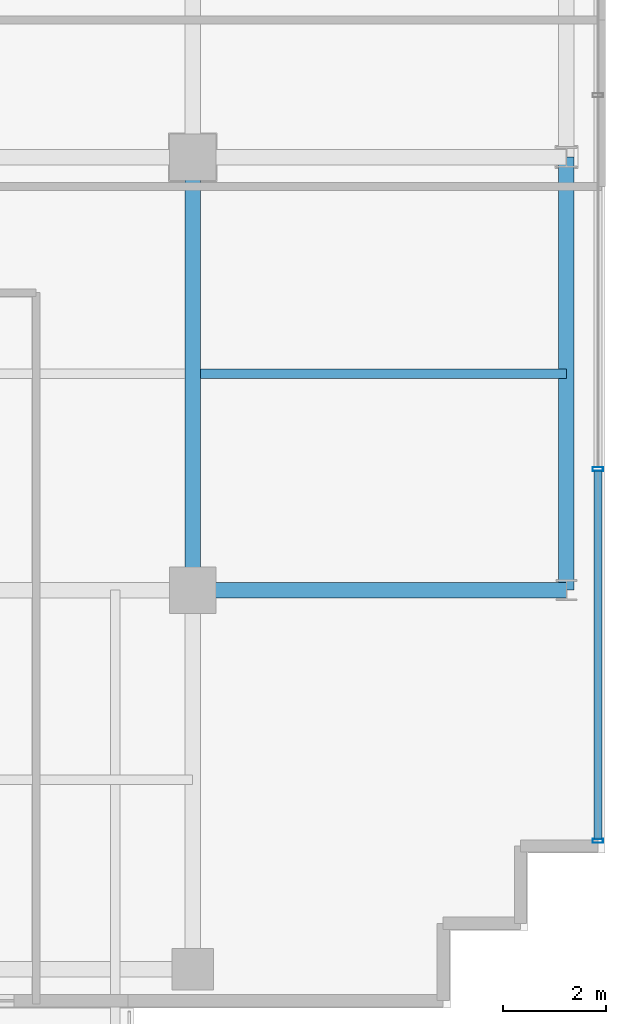
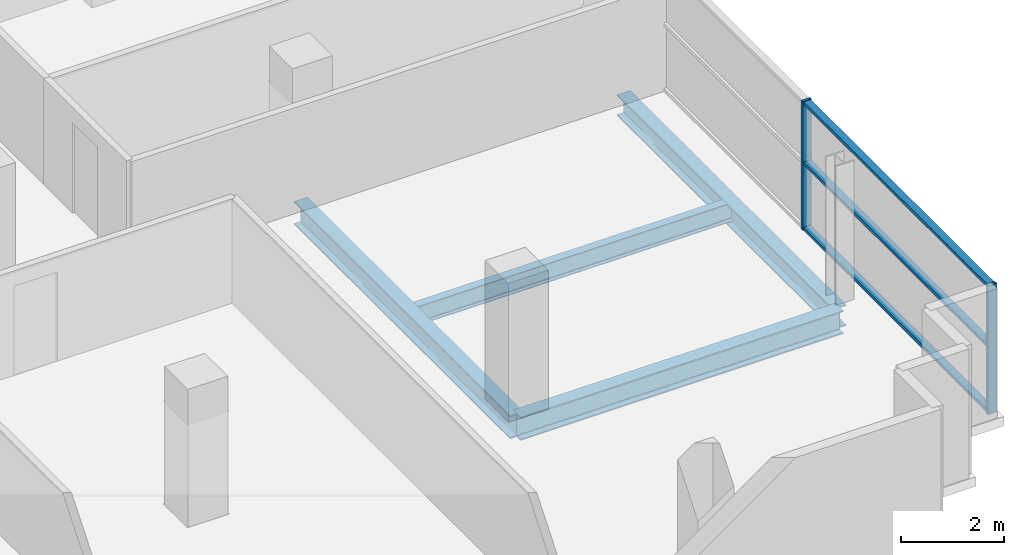
# One storey, part 7 of 23: 5 members, 4 beams, 1 element without a shape of its own.
"""IFC4 building model written with IfcOpenShell, lengths in metres."""

from ifc_helpers import new_model, si_unit, direction, frame, origin, origin_2d, place, context, subcontext, project, spatial, hollow_rectangle, i_section, extrude, source, transform, mapped, material, layer, layer_set, material_profile, profile_set, type_object, element, aggregate, save


model = new_model("IFC4")

# Units and contexts
model_context = context("Model", 3, precision=1e-05, world=origin(), true_north=direction((0.0, 1.0)))
body_context = subcontext(model_context, "Body", "Model", "MODEL_VIEW")
ifc_project = project(units=[si_unit("LENGTHUNIT", "METRE"), si_unit("AREAUNIT", "SQUARE_METRE"), si_unit("VOLUMEUNIT", "CUBIC_METRE"), si_unit("PLANEANGLEUNIT", "RADIAN"), si_unit("MASSUNIT", "GRAM", prefix="KILO")], contexts=[model_context])

# Site, building, storey
site_placement = place(None, origin())
site = spatial("IfcSite", under=ifc_project, at=site_placement, CompositionType="ELEMENT")
building_placement = place(site_placement, origin())
building = spatial("IfcBuilding", under=site, at=building_placement, Name="Zarnakvel Exchange Tower", CompositionType="ELEMENT")
storey_placement = place(building_placement, frame((0.0, 0.0, 123.10009765625)))
storey = spatial("IfcBuildingStorey", under=building, at=storey_placement, Name="L34", CompositionType="ELEMENT", Elevation=123.10009765625)

# Beams
ifc_material_1 = material(Name="Steel S355", Category="steel")
ifc_material_profile_1 = material_profile(ifc_material_1, i_section(OverallWidth=0.18994140625, OverallDepth=0.449951171875, WebThickness=0.009521484375, FlangeThickness=0.0146484375, FilletRadius=0.02099609375, at=origin_2d()))
ifc_profile_set_1 = profile_set([ifc_material_profile_1], Name="Steel S355")
beam_type_1 = type_object("IfcBeamType", Name="B-05", PredefinedType="JOIST", material=ifc_profile_set_1)
beam_1_placement = place(storey_placement, frame((21.75, -5.39990234375, -0.4501953125), z_axis=(1.0, 0.0, 0.0), x_axis=(0.0, 1.0, 0.0)))
element("IfcBeam", 1, at=beam_1_placement, inside=storey, type_object=beam_type_1, Name="L34 Composite Floor Secondary Joist", PredefinedType="JOIST", context=body_context, shape_type="SweptSolid", body=[
    extrude(i_section(OverallWidth=0.18994140625, OverallDepth=0.449951171875, WebThickness=0.009521484375, FlangeThickness=0.0146484375, FilletRadius=0.02099609375, at=origin_2d()), origin(), (0.0, 0.0, 1.0), 7.10009765625),
])
ifc_material_profile_2 = material_profile(ifc_material_1, i_section(OverallWidth=0.300048828125, OverallDepth=0.550048828125, WebThickness=0.014892578125, FlangeThickness=0.029052734375, FilletRadius=0.027099609375, at=origin_2d()))
ifc_profile_set_2 = profile_set([ifc_material_profile_2], Name="Steel S355")
beam_type_2 = type_object("IfcBeamType", Name="G-05", PredefinedType="BEAM", material=ifc_profile_set_2)
beam_2_placement = place(storey_placement, frame((21.60009765625, -9.60009765625, -0.5), z_axis=(1.0, 0.0, 0.0), x_axis=(0.0, 1.0, 0.0)))
element("IfcBeam", 2, at=beam_2_placement, inside=storey, type_object=beam_type_2, Name="L34 Tower E-W Frame Beam", PredefinedType="BEAM", context=body_context, shape_type="SweptSolid", body=[
    extrude(i_section(OverallWidth=0.300048828125, OverallDepth=0.550048828125, WebThickness=0.014892578125, FlangeThickness=0.029052734375, FilletRadius=0.027099609375, at=origin_2d()), origin(), (0.0, 0.0, 1.0), 7.25),
])
beam_3_placement = place(storey_placement, frame((21.60009765625, -9.60009765625, -0.5), z_axis=(0.0, 1.0, 0.0), x_axis=(-1.0, 0.0, 0.0)))
element("IfcBeam", 3, at=beam_3_placement, inside=storey, type_object=beam_type_2, Name="L34 Tower N-S Frame Beam", PredefinedType="BEAM", context=body_context, shape_type="SweptSolid", body=[
    extrude(i_section(OverallWidth=0.300048828125, OverallDepth=0.550048828125, WebThickness=0.014892578125, FlangeThickness=0.029052734375, FilletRadius=0.027099609375, at=origin_2d()), origin(), (0.0, 0.0, 1.0), 8.400146484375),
])
ifc_material_profile_3 = material_profile(ifc_material_1, i_section(OverallWidth=0.300048828125, OverallDepth=0.5, WebThickness=0.014404296875, FlangeThickness=0.028076171875, FilletRadius=0.027099609375, at=origin_2d()))
ifc_profile_set_3 = profile_set([ifc_material_profile_3], Name="Steel S355")
beam_type_3 = type_object("IfcBeamType", Name="SP-02", PredefinedType="SPANDREL", material=ifc_profile_set_3)
beam_4_placement = place(storey_placement, frame((28.85009765625, -9.60009765625, -0.47509765625), z_axis=(0.0, 1.0, 0.0), x_axis=(-1.0, 0.0, 0.0)))
element("IfcBeam", 4, at=beam_4_placement, inside=storey, type_object=beam_type_3, Name="L34 Tower N-S Frame Beam", PredefinedType="SPANDREL", context=body_context, shape_type="SweptSolid", body=[
    extrude(i_section(OverallWidth=0.300048828125, OverallDepth=0.5, WebThickness=0.014404296875, FlangeThickness=0.028076171875, FilletRadius=0.027099609375, at=origin_2d()), origin(), (0.0, 0.0, 1.0), 8.400146484375),
])

# Curtain wall, members
ifc_material_2 = material(Name="Architectural Bronze Anodised Aluminium", Category="aluminium")
ifc_layer = layer(ifc_material_2, 0.199951171875)
ifc_layer_set = layer_set([ifc_layer], Name="Architectural Bronze Anodised Aluminium")
curtain_wall_type = type_object("IfcCurtainWallType", Name="CW-04", PredefinedType="NOTDEFINED", material=ifc_layer_set)
curtain_wall_placement = place(storey_placement, origin())
curtain_wall = element("IfcCurtainWall", 5, at=curtain_wall_placement, inside=storey, type_object=curtain_wall_type, Name="L34 Curtain Wall CW-L34-E1 (CW-04)", PredefinedType="NOTDEFINED")
ifc_material_profile_4 = material_profile(ifc_material_2, hollow_rectangle(XDim=0.199951171875, YDim=0.074951171875, WallThickness=0.0048828125, at=origin_2d()))
ifc_profile_set_4 = profile_set([ifc_material_profile_4], Name="Architectural Bronze Anodised Aluminium")
member_type_1 = type_object("IfcMemberType", Name="CWM-04", PredefinedType="MULLION", material=ifc_profile_set_4)
shared_shape_1 = source(origin(), body_context, "Body", "SweptSolid", [
    extrude(hollow_rectangle(XDim=0.199951171875, YDim=0.074951171875, WallThickness=0.0048828125, at=origin_2d()), origin(), (0.0, 0.0, 1.0), 3.054931640625),
])
member_1_placement = place(storey_placement, frame((29.4599609375, -14.46240234375, 0.0), z_axis=(0.0, 0.0, 1.0), x_axis=(-1.0, 0.0, 0.0)))
member_1 = element("IfcMember", 6, at=member_1_placement, type_object=member_type_1, Name="CW-04 mullion 1", PredefinedType="MULLION", context=body_context, shape_type="MappedRepresentation", body=[
    mapped(shared_shape_1, transform((0.0, 0.0, 0.0), x_axis=(1.0, 0.0, 0.0), y_axis=(0.0, 1.0, 0.0), z_axis=(0.0, 0.0, 1.0), scale=1.0)),
])
member_2_placement = place(storey_placement, frame((29.4599609375, -7.25, 0.0), z_axis=(0.0, 0.0, 1.0), x_axis=(-1.0, 0.0, 0.0)))
member_2 = element("IfcMember", 7, at=member_2_placement, type_object=member_type_1, Name="CW-04 mullion 2", PredefinedType="MULLION", context=body_context, shape_type="MappedRepresentation", body=[
    mapped(shared_shape_1, transform((0.0, 0.0, 0.0), x_axis=(1.0, 0.0, 0.0), y_axis=(0.0, 1.0, 0.0), z_axis=(0.0, 0.0, 1.0), scale=1.0)),
])
ifc_material_profile_5 = material_profile(ifc_material_2, hollow_rectangle(XDim=0.159912109375, YDim=0.074951171875, WallThickness=0.00390625, at=origin_2d()))
ifc_profile_set_5 = profile_set([ifc_material_profile_5], Name="Architectural Bronze Anodised Aluminium")
member_type_2 = type_object("IfcMemberType", Name="CWT-04", PredefinedType="USERDEFINED", material=ifc_profile_set_5)
shared_shape_2 = source(origin(), body_context, "Body", "SweptSolid", [
    extrude(hollow_rectangle(XDim=0.159912109375, YDim=0.074951171875, WallThickness=0.00390625, at=origin_2d()), origin(), (0.0, 0.0, 1.0), 7.137451171875),
])
member_3_placement = place(storey_placement, frame((29.4599609375, -14.425048828125, 0.037353515625), z_axis=(0.0, 1.0, 0.0), x_axis=(-1.0, 0.0, 0.0)))
member_3 = element("IfcMember", 8, at=member_3_placement, type_object=member_type_2, Name="CW-04 transom 1.1", ObjectType="TRANSOM", PredefinedType="USERDEFINED", context=body_context, shape_type="MappedRepresentation", body=[
    mapped(shared_shape_2, transform((0.0, 0.0, 0.0), x_axis=(1.0, 0.0, 0.0), y_axis=(0.0, 1.0, 0.0), z_axis=(0.0, 0.0, 1.0), scale=1.0)),
])
member_4_placement = place(storey_placement, frame((29.4599609375, -14.425048828125, 1.588623046875), z_axis=(0.0, 1.0, 0.0), x_axis=(-1.0, 0.0, 0.0)))
member_4 = element("IfcMember", 9, at=member_4_placement, type_object=member_type_2, Name="CW-04 transom 1.2", ObjectType="TRANSOM", PredefinedType="USERDEFINED", context=body_context, shape_type="MappedRepresentation", body=[
    mapped(shared_shape_2, transform((0.0, 0.0, 0.0), x_axis=(1.0, 0.0, 0.0), y_axis=(0.0, 1.0, 0.0), z_axis=(0.0, 0.0, 1.0), scale=1.0)),
])
member_5_placement = place(storey_placement, frame((29.4599609375, -14.425048828125, 3.017333984375), z_axis=(0.0, 1.0, 0.0), x_axis=(-1.0, 0.0, 0.0)))
member_5 = element("IfcMember", 10, at=member_5_placement, type_object=member_type_2, Name="CW-04 transom 1.3", ObjectType="TRANSOM", PredefinedType="USERDEFINED", context=body_context, shape_type="MappedRepresentation", body=[
    mapped(shared_shape_2, transform((0.0, 0.0, 0.0), x_axis=(1.0, 0.0, 0.0), y_axis=(0.0, 1.0, 0.0), z_axis=(0.0, 0.0, 1.0), scale=1.0)),
])
aggregate(curtain_wall, [member_1, member_2, member_3, member_4, member_5])

save(model, "model.ifc")
